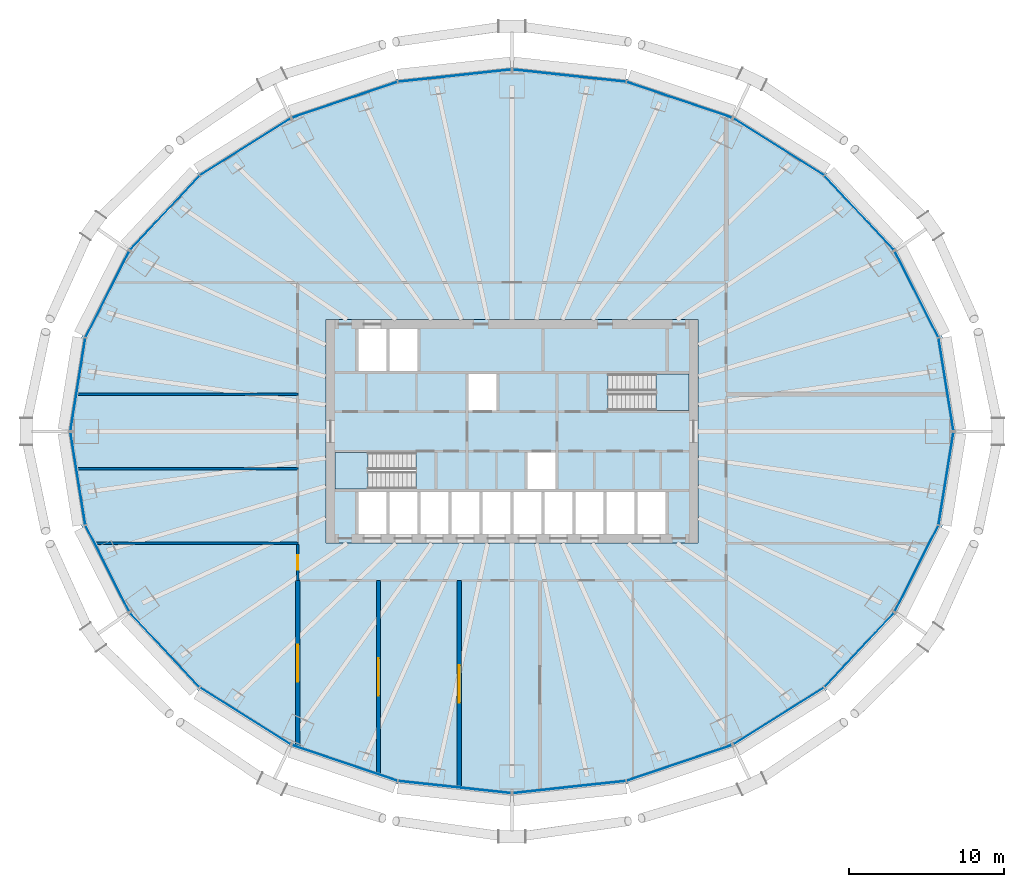
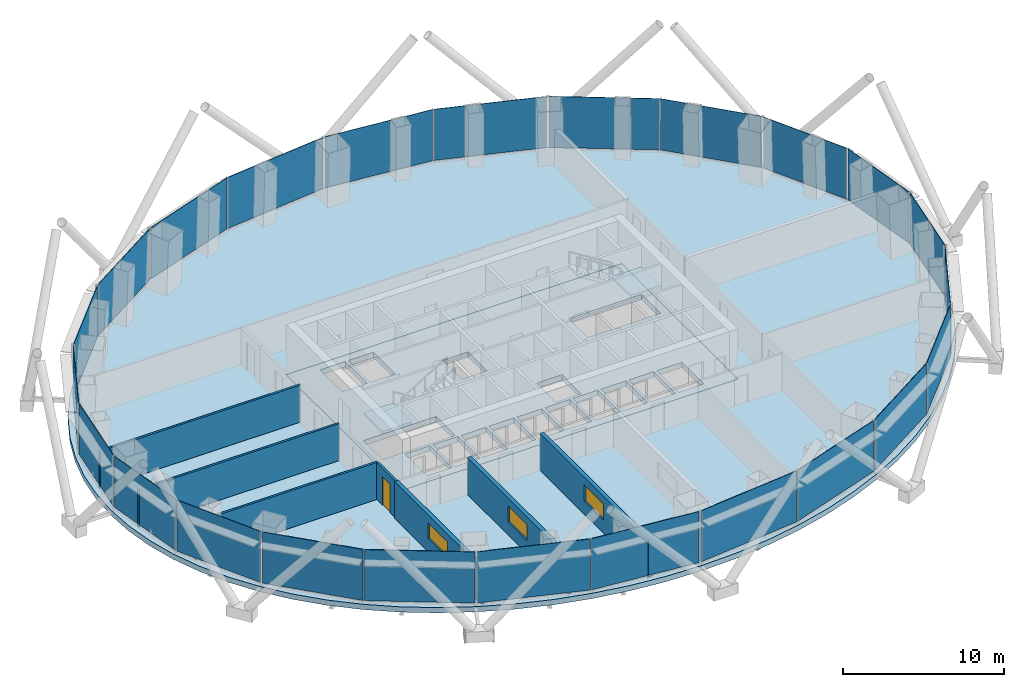
# One storey, part 6 of 16: 24 plates, 7 walls, 4 slabs, 3 windows, 1 door, 4 openings, 14 elements without a shape of their own.
"""IFC4 building model written with IfcOpenShell, lengths in metres."""

from ifc_helpers import new_model, si_unit, direction, frame, frame_2d, origin, origin_2d, place, context, subcontext, project, spatial, polyline, rectangle, outline, extrude, material, layer, layer_set, type_object, element, fill, aggregate, save


model = new_model("IFC4")

# Units and contexts
model_context = context("Model", 3, precision=1e-05, world=origin(), true_north=direction((0.0, 1.0)))
body_context = subcontext(model_context, "Body", "Model", "MODEL_VIEW")
ifc_project = project(units=[si_unit("LENGTHUNIT", "METRE"), si_unit("AREAUNIT", "SQUARE_METRE"), si_unit("VOLUMEUNIT", "CUBIC_METRE"), si_unit("PLANEANGLEUNIT", "RADIAN"), si_unit("MASSUNIT", "GRAM", prefix="KILO")], contexts=[model_context])

# Site, building, storey
site_placement = place(None, origin())
site = spatial("IfcSite", under=ifc_project, at=site_placement, CompositionType="ELEMENT")
building_placement = place(site_placement, origin())
building = spatial("IfcBuilding", under=site, at=building_placement, Name="Siaravel Broadcast Tower", CompositionType="ELEMENT")
storey_placement = place(building_placement, frame((0.0, 0.0, 28.699951171875)))
storey = spatial("IfcBuildingStorey", under=building, at=storey_placement, Name="L05", CompositionType="ELEMENT", Elevation=28.699951171875)

# Curtain wall, plates
ifc_material_1 = material(Name="Aluminium 6063-T6", Category="aluminium")
ifc_layer_1 = layer(ifc_material_1, 0.25)
ifc_layer_set_1 = layer_set([ifc_layer_1], Name="Aluminium 6063-T6")
curtain_wall_type = type_object("IfcCurtainWallType", Name="Podium newsroom glazing", PredefinedType="NOTDEFINED", material=ifc_layer_set_1)
curtain_wall_1_placement = place(storey_placement, origin())
curtain_wall_1 = element("IfcCurtainWall", 1, at=curtain_wall_1_placement, inside=storey, type_object=curtain_wall_type, Name="L05 Podium newsroom glazing 01", PredefinedType="NOTDEFINED")
ifc_material_2 = material(Name="Clear laminated glass", Category="glass")
ifc_layer_2 = layer(ifc_material_2, 0.035888671875)
ifc_layer_set_2 = layer_set([ifc_layer_2], Name="Clear laminated glass")
plate_type = type_object("IfcPlateType", Name="CW-PD glass panel", PredefinedType="CURTAIN_PANEL", material=ifc_layer_set_2)
plate_1_placement = place(storey_placement, frame((27.96533203125, 3.038330078125, 0.14013671875), z_axis=(0.0, 0.0, 1.0), x_axis=(-0.158686178, 0.987329072, 0.0)))
plate_1 = element("IfcPlate", 2, at=plate_1_placement, type_object=plate_type, Name="CW-PD glass panel", PredefinedType="CURTAIN_PANEL", context=body_context, shape_type="SweptSolid", body=[
    extrude(rectangle(XDim=5.99462890625, YDim=0.035888671875, at=origin_2d()), origin(), (0.0, 0.0, 1.0), 3.860107421875),
])
plate_2_placement = place(storey_placement, frame((26.0703125, 8.83154296875, 0.14013671875), z_axis=(0.0, 0.0, 1.0), x_axis=(-0.451262258, 0.89239138, 0.0)))
plate_2 = element("IfcPlate", 3, at=plate_2_placement, type_object=plate_type, Name="CW-PD glass panel", PredefinedType="CURTAIN_PANEL", context=body_context, shape_type="SweptSolid", body=[
    extrude(rectangle(XDim=6.1826171875, YDim=0.035888671875, at=origin_2d()), origin(), (0.0, 0.0, 1.0), 3.860107421875),
])
aggregate(curtain_wall_1, [plate_1, plate_2])

curtain_wall_2_placement = place(storey_placement, origin())
curtain_wall_2 = element("IfcCurtainWall", 4, at=curtain_wall_2_placement, inside=storey, type_object=curtain_wall_type, Name="L05 Podium newsroom glazing 02", PredefinedType="NOTDEFINED")
plate_3_placement = place(storey_placement, frame((22.364013671875, 14.09033203125, 0.14013671875), z_axis=(0.0, 0.0, 1.0), x_axis=(-0.68365628, 0.729804146, 0.0)))
plate_3 = element("IfcPlate", 5, at=plate_3_placement, type_object=plate_type, Name="CW-PD glass panel", PredefinedType="CURTAIN_PANEL", context=body_context, shape_type="SweptSolid", body=[
    extrude(rectangle(XDim=6.49609375, YDim=0.035888671875, at=origin_2d()), origin(), (0.0, 0.0, 1.0), 3.860107421875),
])
plate_4_placement = place(storey_placement, frame((17.1865234375, 18.331298828125, 0.14013671875), z_axis=(0.0, 0.0, 1.0), x_axis=(-0.84665121, 0.532148221, 0.0)))
plate_4 = element("IfcPlate", 6, at=plate_4_placement, type_object=plate_type, Name="CW-PD glass panel", PredefinedType="CURTAIN_PANEL", context=body_context, shape_type="SweptSolid", body=[
    extrude(rectangle(XDim=6.840087890625, YDim=0.035888671875, at=origin_2d()), origin(), (0.0, 0.0, 1.0), 3.860107421875),
])
aggregate(curtain_wall_2, [plate_3, plate_4])

curtain_wall_3_placement = place(storey_placement, origin())
curtain_wall_3 = element("IfcCurtainWall", 7, at=curtain_wall_3_placement, inside=storey, type_object=curtain_wall_type, Name="L05 Podium newsroom glazing 03", PredefinedType="NOTDEFINED")
plate_5_placement = place(storey_placement, frame((10.773681640625, 21.3642578125, 0.14013671875), z_axis=(0.0, 0.0, 1.0), x_axis=(-0.946977469, 0.321299974, 0.0)))
plate_5 = element("IfcPlate", 8, at=plate_5_placement, type_object=plate_type, Name="CW-PD glass panel", PredefinedType="CURTAIN_PANEL", context=body_context, shape_type="SweptSolid", body=[
    extrude(rectangle(XDim=7.125244140625, YDim=0.035888671875, at=origin_2d()), origin(), (0.0, 0.0, 1.0), 3.860107421875),
])
plate_6_placement = place(storey_placement, frame((3.700927734375, 22.91650390625, 0.14013671875), z_axis=(0.0, 0.0, 1.0), x_axis=(-0.994235615, 0.107217269, 0.0)))
plate_6 = element("IfcPlate", 9, at=plate_6_placement, type_object=plate_type, Name="CW-PD glass panel", PredefinedType="CURTAIN_PANEL", context=body_context, shape_type="SweptSolid", body=[
    extrude(rectangle(XDim=7.284912109375, YDim=0.035888671875, at=origin_2d()), origin(), (0.0, 0.0, 1.0), 3.860107421875),
])
aggregate(curtain_wall_3, [plate_5, plate_6])

curtain_wall_4_placement = place(storey_placement, origin())
curtain_wall_4 = element("IfcCurtainWall", 10, at=curtain_wall_4_placement, inside=storey, type_object=curtain_wall_type, Name="L05 Podium newsroom glazing 04", PredefinedType="NOTDEFINED")
plate_7_placement = place(storey_placement, frame((-3.700927734375, 22.91650390625, 0.14013671875), z_axis=(0.0, 0.0, 1.0), x_axis=(-0.994235615, -0.107217269, 0.0)))
plate_7 = element("IfcPlate", 11, at=plate_7_placement, type_object=plate_type, Name="CW-PD glass panel", PredefinedType="CURTAIN_PANEL", context=body_context, shape_type="SweptSolid", body=[
    extrude(rectangle(XDim=7.284912109375, YDim=0.035888671875, at=origin_2d()), origin(), (0.0, 0.0, 1.0), 3.860107421875),
])
plate_8_placement = place(storey_placement, frame((-10.773681640625, 21.3642578125, 0.14013671875), z_axis=(0.0, 0.0, 1.0), x_axis=(-0.946977469, -0.321299974, 0.0)))
plate_8 = element("IfcPlate", 12, at=plate_8_placement, type_object=plate_type, Name="CW-PD glass panel", PredefinedType="CURTAIN_PANEL", context=body_context, shape_type="SweptSolid", body=[
    extrude(rectangle(XDim=7.125244140625, YDim=0.035888671875, at=origin_2d()), origin(), (0.0, 0.0, 1.0), 3.860107421875),
])
aggregate(curtain_wall_4, [plate_7, plate_8])

curtain_wall_5_placement = place(storey_placement, origin())
curtain_wall_5 = element("IfcCurtainWall", 13, at=curtain_wall_5_placement, inside=storey, type_object=curtain_wall_type, Name="L05 Podium newsroom glazing 05", PredefinedType="NOTDEFINED")
plate_9_placement = place(storey_placement, frame((-17.1865234375, 18.331298828125, 0.14013671875), z_axis=(0.0, 0.0, 1.0), x_axis=(-0.84665121, -0.532148221, 0.0)))
plate_9 = element("IfcPlate", 14, at=plate_9_placement, type_object=plate_type, Name="CW-PD glass panel", PredefinedType="CURTAIN_PANEL", context=body_context, shape_type="SweptSolid", body=[
    extrude(rectangle(XDim=6.840087890625, YDim=0.035888671875, at=origin_2d()), origin(), (0.0, 0.0, 1.0), 3.860107421875),
])
plate_10_placement = place(storey_placement, frame((-22.364013671875, 14.09033203125, 0.14013671875), z_axis=(0.0, 0.0, 1.0), x_axis=(-0.68365628, -0.729804146, 0.0)))
plate_10 = element("IfcPlate", 15, at=plate_10_placement, type_object=plate_type, Name="CW-PD glass panel", PredefinedType="CURTAIN_PANEL", context=body_context, shape_type="SweptSolid", body=[
    extrude(rectangle(XDim=6.49609375, YDim=0.035888671875, at=origin_2d()), origin(), (0.0, 0.0, 1.0), 3.860107421875),
])
aggregate(curtain_wall_5, [plate_9, plate_10])

curtain_wall_6_placement = place(storey_placement, origin())
curtain_wall_6 = element("IfcCurtainWall", 16, at=curtain_wall_6_placement, inside=storey, type_object=curtain_wall_type, Name="L05 Podium newsroom glazing 06", PredefinedType="NOTDEFINED")
plate_11_placement = place(storey_placement, frame((-26.0703125, 8.83154296875, 0.14013671875), z_axis=(0.0, 0.0, 1.0), x_axis=(-0.451262258, -0.89239138, 0.0)))
plate_11 = element("IfcPlate", 17, at=plate_11_placement, type_object=plate_type, Name="CW-PD glass panel", PredefinedType="CURTAIN_PANEL", context=body_context, shape_type="SweptSolid", body=[
    extrude(rectangle(XDim=6.1826171875, YDim=0.035888671875, at=origin_2d()), origin(), (0.0, 0.0, 1.0), 3.860107421875),
])
plate_12_placement = place(storey_placement, frame((-27.96533203125, 3.038330078125, 0.14013671875), z_axis=(0.0, 0.0, 1.0), x_axis=(-0.158686178, -0.987329072, 0.0)))
plate_12 = element("IfcPlate", 18, at=plate_12_placement, type_object=plate_type, Name="CW-PD glass panel", PredefinedType="CURTAIN_PANEL", context=body_context, shape_type="SweptSolid", body=[
    extrude(rectangle(XDim=5.99462890625, YDim=0.035888671875, at=origin_2d()), origin(), (0.0, 0.0, 1.0), 3.860107421875),
])
aggregate(curtain_wall_6, [plate_11, plate_12])

curtain_wall_7_placement = place(storey_placement, origin())
curtain_wall_7 = element("IfcCurtainWall", 19, at=curtain_wall_7_placement, inside=storey, type_object=curtain_wall_type, Name="L05 Podium newsroom glazing 07", PredefinedType="NOTDEFINED")
plate_13_placement = place(storey_placement, frame((-27.96533203125, -3.038330078125, 0.14013671875), z_axis=(0.0, 0.0, 1.0), x_axis=(0.158686178, -0.987329072, 0.0)))
plate_13 = element("IfcPlate", 20, at=plate_13_placement, type_object=plate_type, Name="CW-PD glass panel", PredefinedType="CURTAIN_PANEL", context=body_context, shape_type="SweptSolid", body=[
    extrude(rectangle(XDim=5.99462890625, YDim=0.035888671875, at=origin_2d()), origin(), (0.0, 0.0, 1.0), 3.860107421875),
])
plate_14_placement = place(storey_placement, frame((-26.0703125, -8.83154296875, 0.14013671875), z_axis=(0.0, 0.0, 1.0), x_axis=(0.451262258, -0.89239138, 0.0)))
plate_14 = element("IfcPlate", 21, at=plate_14_placement, type_object=plate_type, Name="CW-PD glass panel", PredefinedType="CURTAIN_PANEL", context=body_context, shape_type="SweptSolid", body=[
    extrude(rectangle(XDim=6.1826171875, YDim=0.035888671875, at=origin_2d()), origin(), (0.0, 0.0, 1.0), 3.860107421875),
])
aggregate(curtain_wall_7, [plate_13, plate_14])

curtain_wall_8_placement = place(storey_placement, origin())
curtain_wall_8 = element("IfcCurtainWall", 22, at=curtain_wall_8_placement, inside=storey, type_object=curtain_wall_type, Name="L05 Podium newsroom glazing 08", PredefinedType="NOTDEFINED")
plate_15_placement = place(storey_placement, frame((-22.364013671875, -14.09033203125, 0.14013671875), z_axis=(0.0, 0.0, 1.0), x_axis=(0.68365628, -0.729804146, 0.0)))
plate_15 = element("IfcPlate", 23, at=plate_15_placement, type_object=plate_type, Name="CW-PD glass panel", PredefinedType="CURTAIN_PANEL", context=body_context, shape_type="SweptSolid", body=[
    extrude(rectangle(XDim=6.49609375, YDim=0.035888671875, at=origin_2d()), origin(), (0.0, 0.0, 1.0), 3.860107421875),
])
plate_16_placement = place(storey_placement, frame((-17.1865234375, -18.331298828125, 0.14013671875), z_axis=(0.0, 0.0, 1.0), x_axis=(0.84665121, -0.532148221, 0.0)))
plate_16 = element("IfcPlate", 24, at=plate_16_placement, type_object=plate_type, Name="CW-PD glass panel", PredefinedType="CURTAIN_PANEL", context=body_context, shape_type="SweptSolid", body=[
    extrude(rectangle(XDim=6.840087890625, YDim=0.035888671875, at=origin_2d()), origin(), (0.0, 0.0, 1.0), 3.860107421875),
])
aggregate(curtain_wall_8, [plate_15, plate_16])

curtain_wall_9_placement = place(storey_placement, origin())
curtain_wall_9 = element("IfcCurtainWall", 25, at=curtain_wall_9_placement, inside=storey, type_object=curtain_wall_type, Name="L05 Podium newsroom glazing 09", PredefinedType="NOTDEFINED")
plate_17_placement = place(storey_placement, frame((-10.773681640625, -21.3642578125, 0.14013671875), z_axis=(0.0, 0.0, 1.0), x_axis=(0.946977469, -0.321299974, 0.0)))
plate_17 = element("IfcPlate", 26, at=plate_17_placement, type_object=plate_type, Name="CW-PD glass panel", PredefinedType="CURTAIN_PANEL", context=body_context, shape_type="SweptSolid", body=[
    extrude(rectangle(XDim=7.125244140625, YDim=0.035888671875, at=origin_2d()), origin(), (0.0, 0.0, 1.0), 3.860107421875),
])
plate_18_placement = place(storey_placement, frame((-3.700927734375, -22.91650390625, 0.14013671875), z_axis=(0.0, 0.0, 1.0), x_axis=(0.994235615, -0.107217269, 0.0)))
plate_18 = element("IfcPlate", 27, at=plate_18_placement, type_object=plate_type, Name="CW-PD glass panel", PredefinedType="CURTAIN_PANEL", context=body_context, shape_type="SweptSolid", body=[
    extrude(rectangle(XDim=7.284912109375, YDim=0.035888671875, at=origin_2d()), origin(), (0.0, 0.0, 1.0), 3.860107421875),
])
aggregate(curtain_wall_9, [plate_17, plate_18])

curtain_wall_10_placement = place(storey_placement, origin())
curtain_wall_10 = element("IfcCurtainWall", 28, at=curtain_wall_10_placement, inside=storey, type_object=curtain_wall_type, Name="L05 Podium newsroom glazing 10", PredefinedType="NOTDEFINED")
plate_19_placement = place(storey_placement, frame((3.700927734375, -22.91650390625, 0.14013671875), z_axis=(0.0, 0.0, 1.0), x_axis=(0.994235615, 0.107217269, 0.0)))
plate_19 = element("IfcPlate", 29, at=plate_19_placement, type_object=plate_type, Name="CW-PD glass panel", PredefinedType="CURTAIN_PANEL", context=body_context, shape_type="SweptSolid", body=[
    extrude(rectangle(XDim=7.284912109375, YDim=0.035888671875, at=origin_2d()), origin(), (0.0, 0.0, 1.0), 3.860107421875),
])
plate_20_placement = place(storey_placement, frame((10.773681640625, -21.3642578125, 0.14013671875), z_axis=(0.0, 0.0, 1.0), x_axis=(0.946977469, 0.321299974, 0.0)))
plate_20 = element("IfcPlate", 30, at=plate_20_placement, type_object=plate_type, Name="CW-PD glass panel", PredefinedType="CURTAIN_PANEL", context=body_context, shape_type="SweptSolid", body=[
    extrude(rectangle(XDim=7.125244140625, YDim=0.035888671875, at=origin_2d()), origin(), (0.0, 0.0, 1.0), 3.860107421875),
])
aggregate(curtain_wall_10, [plate_19, plate_20])

curtain_wall_11_placement = place(storey_placement, origin())
curtain_wall_11 = element("IfcCurtainWall", 31, at=curtain_wall_11_placement, inside=storey, type_object=curtain_wall_type, Name="L05 Podium newsroom glazing 11", PredefinedType="NOTDEFINED")
plate_21_placement = place(storey_placement, frame((17.1865234375, -18.331298828125, 0.14013671875), z_axis=(0.0, 0.0, 1.0), x_axis=(0.84665121, 0.532148221, 0.0)))
plate_21 = element("IfcPlate", 32, at=plate_21_placement, type_object=plate_type, Name="CW-PD glass panel", PredefinedType="CURTAIN_PANEL", context=body_context, shape_type="SweptSolid", body=[
    extrude(rectangle(XDim=6.840087890625, YDim=0.035888671875, at=origin_2d()), origin(), (0.0, 0.0, 1.0), 3.860107421875),
])
plate_22_placement = place(storey_placement, frame((22.364013671875, -14.09033203125, 0.14013671875), z_axis=(0.0, 0.0, 1.0), x_axis=(0.68365628, 0.729804146, 0.0)))
plate_22 = element("IfcPlate", 33, at=plate_22_placement, type_object=plate_type, Name="CW-PD glass panel", PredefinedType="CURTAIN_PANEL", context=body_context, shape_type="SweptSolid", body=[
    extrude(rectangle(XDim=6.49609375, YDim=0.035888671875, at=origin_2d()), origin(), (0.0, 0.0, 1.0), 3.860107421875),
])
aggregate(curtain_wall_11, [plate_21, plate_22])

curtain_wall_12_placement = place(storey_placement, origin())
curtain_wall_12 = element("IfcCurtainWall", 34, at=curtain_wall_12_placement, inside=storey, type_object=curtain_wall_type, Name="L05 Podium newsroom glazing 12", PredefinedType="NOTDEFINED")
plate_23_placement = place(storey_placement, frame((26.0703125, -8.83154296875, 0.14013671875), z_axis=(0.0, 0.0, 1.0), x_axis=(0.451262258, 0.89239138, 0.0)))
plate_23 = element("IfcPlate", 35, at=plate_23_placement, type_object=plate_type, Name="CW-PD glass panel", PredefinedType="CURTAIN_PANEL", context=body_context, shape_type="SweptSolid", body=[
    extrude(rectangle(XDim=6.1826171875, YDim=0.035888671875, at=origin_2d()), origin(), (0.0, 0.0, 1.0), 3.860107421875),
])
plate_24_placement = place(storey_placement, frame((27.96533203125, -3.038330078125, 0.14013671875), z_axis=(0.0, 0.0, 1.0), x_axis=(0.158686178, 0.987329072, 0.0)))
plate_24 = element("IfcPlate", 36, at=plate_24_placement, type_object=plate_type, Name="CW-PD glass panel", PredefinedType="CURTAIN_PANEL", context=body_context, shape_type="SweptSolid", body=[
    extrude(rectangle(XDim=5.99462890625, YDim=0.035888671875, at=origin_2d()), origin(), (0.0, 0.0, 1.0), 3.860107421875),
])
aggregate(curtain_wall_12, [plate_23, plate_24])

# Slabs
ifc_material_3 = material(Name="Concrete C40/50", Category="concrete")
ifc_layer_3 = layer(ifc_material_3, 0.39990234375)
ifc_layer_set_3 = layer_set([ifc_layer_3], Name="Concrete C40/50")
slab_type_1 = type_object("IfcSlabType", Name="Core floor slab 400", PredefinedType="FLOOR", material=ifc_layer_set_3)
slab_1_placement = place(storey_placement, frame((0.0, 0.0, -0.39990234375)))
element("IfcSlab", 37, at=slab_1_placement, inside=storey, type_object=slab_type_1, Name="L05 core floor", PredefinedType="FLOOR", context=body_context, shape_type="SweptSolid", body=[
    extrude(outline(polyline([(-12.0, -7.199951171875), (-12.0, 7.199951171875), (12.0, 7.199951171875), (12.0, -7.199951171875), (-12.0, -7.199951171875)]), holes=[polyline([(11.3994140625, 1.3505859375), (11.3994140625, 3.699462890625), (6.200439453125, 3.699462890625), (6.200439453125, 1.3505859375), (11.3994140625, 1.3505859375)]), polyline([(9.89990234375, -3.89990234375), (8.10009765625, -3.89990234375), (8.10009765625, -6.60009765625), (9.89990234375, -6.60009765625), (9.89990234375, -3.89990234375)]), polyline([(7.89990234375, -3.89990234375), (6.10009765625, -3.89990234375), (6.10009765625, -6.60009765625), (7.89990234375, -6.60009765625), (7.89990234375, -3.89990234375)]), polyline([(5.89990234375, -3.89990234375), (4.10009765625, -3.89990234375), (4.10009765625, -6.60009765625), (5.89990234375, -6.60009765625), (5.89990234375, -3.89990234375)]), polyline([(3.89990234375, -3.89990234375), (2.10009765625, -3.89990234375), (2.10009765625, -6.60009765625), (3.89990234375, -6.60009765625), (3.89990234375, -3.89990234375)]), polyline([(2.800048828125, -1.35009765625), (1.0, -1.35009765625), (1.0, -3.699951171875), (2.800048828125, -3.699951171875), (2.800048828125, -1.35009765625)]), polyline([(1.89990234375, -3.89990234375), (0.10009765625, -3.89990234375), (0.10009765625, -6.60009765625), (1.89990234375, -6.60009765625), (1.89990234375, -3.89990234375)]), polyline([(-0.10009765625, -3.89990234375), (-1.89990234375, -3.89990234375), (-1.89990234375, -6.60009765625), (-0.10009765625, -6.60009765625), (-0.10009765625, -3.89990234375)]), polyline([(-1.0, 3.699951171875), (-2.800048828125, 3.699951171875), (-2.800048828125, 1.35009765625), (-1.0, 1.35009765625), (-1.0, 3.699951171875)]), polyline([(-2.10009765625, -3.89990234375), (-3.89990234375, -3.89990234375), (-3.89990234375, -6.60009765625), (-2.10009765625, -6.60009765625), (-2.10009765625, -3.89990234375)]), polyline([(-4.10009765625, -3.89990234375), (-5.89990234375, -3.89990234375), (-5.89990234375, -6.60009765625), (-4.10009765625, -6.60009765625), (-4.10009765625, -3.89990234375)]), polyline([(-6.10009765625, -3.89990234375), (-7.89990234375, -3.89990234375), (-7.89990234375, -6.60009765625), (-6.10009765625, -6.60009765625), (-6.10009765625, -3.89990234375)]), polyline([(-6.10009765625, 6.60009765625), (-7.89990234375, 6.60009765625), (-7.89990234375, 3.89990234375), (-6.10009765625, 3.89990234375), (-6.10009765625, 6.60009765625)]), polyline([(-11.3994140625, -1.3505859375), (-11.3994140625, -3.699462890625), (-6.200439453125, -3.699462890625), (-6.200439453125, -1.3505859375), (-11.3994140625, -1.3505859375)]), polyline([(-8.10009765625, -3.89990234375), (-9.89990234375, -3.89990234375), (-9.89990234375, -6.60009765625), (-8.10009765625, -6.60009765625), (-8.10009765625, -3.89990234375)]), polyline([(-8.10009765625, 6.60009765625), (-9.89990234375, 6.60009765625), (-9.89990234375, 3.89990234375), (-8.10009765625, 3.89990234375), (-8.10009765625, 6.60009765625)])]), origin(), (0.0, 0.0, 1.0), 0.39990234375),
])
ifc_layer_4 = layer(ifc_material_3, 0.39990234375)
ifc_layer_set_4 = layer_set([ifc_layer_4], Name="Concrete C40/50")
slab_type_2 = type_object("IfcSlabType", Name="SLB-FLOOR-400", PredefinedType="FLOOR", material=ifc_layer_set_4)
slab_2_placement = place(storey_placement, frame((0.0, 0.0, -0.39990234375)))
element("IfcSlab", 38, at=slab_2_placement, inside=storey, type_object=slab_type_2, Name="Floor slab", PredefinedType="FLOOR", context=body_context, shape_type="SweptSolid", body=[
    extrude(outline(polyline([(28.699462890625, 0.0), (28.59033203125, 2.048828125), (28.263427734375, 4.08203125), (27.7216796875, 6.084228515625), (26.96875, 8.040283203125), (26.010498046875, 9.93505859375), (24.8544921875, 11.75390625), (23.50927734375, 13.483642578125), (21.985107421875, 15.110595703125), (20.293701171875, 16.622802734375), (18.44775390625, 18.00830078125), (16.46142578125, 19.256591796875), (14.349853515625, 20.358642578125), (12.12890625, 21.3056640625), (9.81591796875, 22.09033203125), (7.427978515625, 22.70703125), (4.983642578125, 23.15087890625), (2.501220703125, 23.418701171875), (0.0, 23.508056640625), (-2.501220703125, 23.418701171875), (-4.983642578125, 23.15087890625), (-7.427978515625, 22.70703125), (-9.81591796875, 22.09033203125), (-12.12890625, 21.3056640625), (-14.349609375, 20.358642578125), (-16.46142578125, 19.256591796875), (-18.44775390625, 18.00830078125), (-20.293701171875, 16.622802734375), (-21.985107421875, 15.110595703125), (-23.50927734375, 13.483642578125), (-24.8544921875, 11.75390625), (-26.010498046875, 9.93505859375), (-26.96875, 8.040283203125), (-27.7216796875, 6.084228515625), (-28.263427734375, 4.08203125), (-28.59033203125, 2.048828125), (-28.699462890625, 0.0), (-28.59033203125, -2.048828125), (-28.263427734375, -4.08203125), (-27.7216796875, -6.084228515625), (-26.96875, -8.040283203125), (-26.010498046875, -9.93505859375), (-24.8544921875, -11.754150390625), (-23.50927734375, -13.483642578125), (-21.985107421875, -15.110595703125), (-20.293701171875, -16.622802734375), (-18.44775390625, -18.00830078125), (-16.46142578125, -19.256591796875), (-14.349853515625, -20.358642578125), (-12.12890625, -21.3056640625), (-9.81591796875, -22.09033203125), (-7.427978515625, -22.70703125), (-4.983642578125, -23.15087890625), (-2.501220703125, -23.418701171875), (0.0, -23.508056640625), (2.501220703125, -23.418701171875), (4.983642578125, -23.15087890625), (7.427978515625, -22.70703125), (9.81591796875, -22.09033203125), (12.12890625, -21.3056640625), (14.349853515625, -20.358642578125), (16.46142578125, -19.256591796875), (18.44775390625, -18.00830078125), (20.293701171875, -16.622802734375), (21.985107421875, -15.110595703125), (23.50927734375, -13.483642578125), (24.8544921875, -11.754150390625), (26.010498046875, -9.93505859375), (26.96875, -8.040283203125), (27.7216796875, -6.084228515625), (28.263427734375, -4.08203125), (28.59033203125, -2.048828125), (28.699462890625, 0.0)]), holes=[polyline([(-12.0, 7.199951171875), (12.0, 7.199951171875), (12.0, -7.199951171875), (-12.0, -7.199951171875), (-12.0, 7.199951171875)])]), origin(), (0.0, 0.0, 1.0), 0.39990234375),
])

# Stair, slab
stair_type = type_object("IfcStairType", Name="Core exit stair", PredefinedType="HALF_TURN_STAIR", material=ifc_material_3)
stair_1_placement = place(storey_placement, origin())
stair_1 = element("IfcStair", 39, at=stair_1_placement, inside=storey, type_object=stair_type, Name="L05 Exit stair ST-1", PredefinedType="HALF_TURN_STAIR")
ifc_layer_5 = layer(ifc_material_3, 0.199951171875)
ifc_layer_set_5 = layer_set([ifc_layer_5], Name="Concrete C40/50")
slab_type_3 = type_object("IfcSlabType", Name="Stair landing", PredefinedType="LANDING", material=ifc_layer_set_5)
slab_3_placement = place(storey_placement, frame((0.0, 0.0, 1.900146484375)))
slab_3 = element("IfcSlab", 40, at=slab_3_placement, type_object=slab_type_3, Name="ST-1 landing 1", PredefinedType="LANDING", context=body_context, shape_type="SweptSolid", body=[
    extrude(outline(polyline([(-9.280029296875, -1.35009765625), (-11.39990234375, -1.35009765625), (-11.39990234375, -3.699951171875), (-9.280029296875, -3.699951171875), (-9.280029296875, -1.35009765625)])), origin(), (0.0, 0.0, 1.0), 0.199951171875),
])
aggregate(stair_1, [slab_3])

stair_2_placement = place(storey_placement, origin())
stair_2 = element("IfcStair", 41, at=stair_2_placement, inside=storey, type_object=stair_type, Name="L05 Exit stair ST-2", PredefinedType="HALF_TURN_STAIR")
slab_4_placement = place(storey_placement, frame((0.0, 0.0, 1.900146484375)))
slab_4 = element("IfcSlab", 42, at=slab_4_placement, type_object=slab_type_3, Name="ST-2 landing 1", PredefinedType="LANDING", context=body_context, shape_type="SweptSolid", body=[
    extrude(outline(polyline([(9.280029296875, 1.35009765625), (11.39990234375, 1.35009765625), (11.39990234375, 3.699951171875), (9.280029296875, 3.699951171875), (9.280029296875, 1.35009765625)])), origin(), (0.0, 0.0, 1.0), 0.199951171875),
])
aggregate(stair_2, [slab_4])

# Wall, opening, window
ifc_material_4 = material(Name="Double-leaf acoustic partition", Category="gypsum")
ifc_layer_6 = layer(ifc_material_4, 0.280029296875)
ifc_layer_set_6 = layer_set([ifc_layer_6], Name="Double-leaf acoustic partition")
wall_type_1 = type_object("IfcWallType", Name="Acoustic double-leaf wall 280", PredefinedType="PARTITIONING", material=ifc_layer_set_6)
wall_1_placement = place(storey_placement, frame((-3.39990234375, -22.956787109375, 0.0), z_axis=(0.0, 0.0, 1.0), x_axis=(0.0, 1.0, 0.0)))
wall_1 = element("IfcWall", 43, at=wall_1_placement, inside=storey, type_object=wall_type_1, Name="L05 partition 6", PredefinedType="PARTITIONING", context=body_context, shape_type="SweptSolid", body=[
    extrude(rectangle(XDim=13.356689453125, YDim=0.280029296875, at=frame_2d((6.67822265625, 0.0))), origin(), (0.0, 0.0, 1.0), 2.800048828125),
])
opening_1_placement = place(wall_1_placement, frame((5.478515625, 0.0, 1.0)))
opening_1 = element("IfcOpeningElement", 44, at=opening_1_placement, cuts=wall_1, Name="Opening L05-W02", PredefinedType="OPENING", context=body_context, shape_type="SweptSolid", body=[
    extrude(rectangle(XDim=2.39990234375, YDim=1.199951171875, at=frame_2d((1.199951171875, 0.60009765625))), frame((0.0, 0.14990234375, 0.0), z_axis=(0.0, -1.0, 0.0), x_axis=(1.0, 0.0, 0.0)), (0.0, 0.0, 1.0), 0.300048828125),
])
ifc_material_5 = material(Name="Laminated acoustic glass", Category="glass")
window_type = type_object("IfcWindowType", Name="Control room window 2400", PartitioningType="DOUBLE_PANEL_VERTICAL", PredefinedType="WINDOW", material=ifc_material_5)
window_1_placement = place(opening_1_placement, origin())
window_1 = element("IfcWindow", 45, at=window_1_placement, inside=storey, type_object=window_type, Name="L05 observation window 2", OverallHeight=1.199951171875, OverallWidth=2.39990234375, PartitioningType="SINGLE_PANEL", PredefinedType="WINDOW", context=body_context, shape_type="SweptSolid", body=[
    extrude(rectangle(XDim=2.39990234375, YDim=1.199951171875, at=frame_2d((1.199951171875, 0.60009765625))), frame((0.0, 0.030029296875, 0.0), z_axis=(0.0, -1.0, 0.0), x_axis=(1.0, 0.0, 0.0)), (0.0, 0.0, 1.0), 0.06005859375),
])
fill(opening_1, window_1)

wall_2_placement = place(storey_placement, frame((-8.60009765625, -22.0517578125, 0.0), z_axis=(0.0, 0.0, 1.0), x_axis=(0.0, 1.0, 0.0)))
wall_2 = element("IfcWall", 46, at=wall_2_placement, inside=storey, type_object=wall_type_1, Name="L05 partition 10", PredefinedType="PARTITIONING", context=body_context, shape_type="SweptSolid", body=[
    extrude(rectangle(XDim=12.45166015625, YDim=0.280029296875, at=frame_2d((6.225830078125, 0.0))), origin(), (0.0, 0.0, 1.0), 2.800048828125),
])
opening_2_placement = place(wall_2_placement, frame((5.02587890625, 0.0, 1.0)))
opening_2 = element("IfcOpeningElement", 47, at=opening_2_placement, cuts=wall_2, Name="Opening L05-W03", PredefinedType="OPENING", context=body_context, shape_type="SweptSolid", body=[
    extrude(rectangle(XDim=2.39990234375, YDim=1.199951171875, at=frame_2d((1.199951171875, 0.60009765625))), frame((0.0, 0.14990234375, 0.0), z_axis=(0.0, -1.0, 0.0), x_axis=(1.0, 0.0, 0.0)), (0.0, 0.0, 1.0), 0.300048828125),
])
window_2_placement = place(opening_2_placement, origin())
window_2 = element("IfcWindow", 48, at=window_2_placement, inside=storey, type_object=window_type, Name="L05 observation window 3", OverallHeight=1.199951171875, OverallWidth=2.39990234375, PartitioningType="SINGLE_PANEL", PredefinedType="WINDOW", context=body_context, shape_type="SweptSolid", body=[
    extrude(rectangle(XDim=2.39990234375, YDim=1.199951171875, at=frame_2d((1.199951171875, 0.60009765625))), frame((0.0, 0.030029296875, 0.0), z_axis=(0.0, -1.0, 0.0), x_axis=(1.0, 0.0, 0.0)), (0.0, 0.0, 1.0), 0.06005859375),
])
fill(opening_2, window_2)

wall_3_placement = place(storey_placement, frame((-13.800048828125, -20.28759765625, 0.0), z_axis=(0.0, 0.0, 1.0), x_axis=(0.0, 1.0, 0.0)))
wall_3 = element("IfcWall", 49, at=wall_3_placement, inside=storey, type_object=wall_type_1, Name="L05 partition 13", PredefinedType="PARTITIONING", context=body_context, shape_type="SweptSolid", body=[
    extrude(rectangle(XDim=10.6875, YDim=0.280029296875, at=frame_2d((5.34375, 0.0))), origin(), (0.0, 0.0, 1.0), 2.800048828125),
])
opening_3_placement = place(wall_3_placement, frame((4.143798828125, 0.0, 1.0)))
opening_3 = element("IfcOpeningElement", 50, at=opening_3_placement, cuts=wall_3, Name="Opening L05-W04", PredefinedType="OPENING", context=body_context, shape_type="SweptSolid", body=[
    extrude(rectangle(XDim=2.39990234375, YDim=1.199951171875, at=frame_2d((1.199951171875, 0.60009765625))), frame((0.0, 0.14990234375, 0.0), z_axis=(0.0, -1.0, 0.0), x_axis=(1.0, 0.0, 0.0)), (0.0, 0.0, 1.0), 0.300048828125),
])
window_3_placement = place(opening_3_placement, origin())
window_3 = element("IfcWindow", 51, at=window_3_placement, inside=storey, type_object=window_type, Name="L05 observation window 4", OverallHeight=1.199951171875, OverallWidth=2.39990234375, PartitioningType="SINGLE_PANEL", PredefinedType="WINDOW", context=body_context, shape_type="SweptSolid", body=[
    extrude(rectangle(XDim=2.39990234375, YDim=1.199951171875, at=frame_2d((1.199951171875, 0.60009765625))), frame((0.0, 0.030029296875, 0.0), z_axis=(0.0, -1.0, 0.0), x_axis=(1.0, 0.0, 0.0)), (0.0, 0.0, 1.0), 0.06005859375),
])
fill(opening_3, window_3)

# Wall, opening, door
ifc_material_6 = material(Name="Gypsum board partition", Category="gypsum")
ifc_layer_7 = layer(ifc_material_6, 0.14990234375)
ifc_layer_set_7 = layer_set([ifc_layer_7], Name="Gypsum board partition")
wall_type_2 = type_object("IfcWallType", Name="Corridor wall 150", PredefinedType="PARTITIONING", material=ifc_layer_set_7)
wall_4_placement = place(storey_placement, frame((-13.800048828125, -7.277099609375, 0.0), z_axis=(0.0, 0.0, 1.0), x_axis=(0.0, -1.0, 0.0)))
wall_4 = element("IfcWall", 52, at=wall_4_placement, inside=storey, type_object=wall_type_2, Name="L05 partition 26", PredefinedType="PARTITIONING", context=body_context, shape_type="SweptSolid", body=[
    extrude(rectangle(XDim=2.322021484375, YDim=0.14990234375, at=frame_2d((1.1611328125, 0.0))), origin(), (0.0, 0.0, 1.0), 2.800048828125),
])
opening_4_placement = place(wall_4_placement, frame((0.68603515625, 0.0, 0.0)))
opening_4 = element("IfcOpeningElement", 53, at=opening_4_placement, cuts=wall_4, Name="Opening L05-002", PredefinedType="OPENING", context=body_context, shape_type="SweptSolid", body=[
    extrude(rectangle(XDim=0.949951171875, YDim=2.14990234375, at=frame_2d((0.47509765625, 1.074951171875))), frame((0.0, 0.0849609375, 0.0), z_axis=(0.0, -1.0, 0.0), x_axis=(1.0, 0.0, 0.0)), (0.0, 0.0, 1.0), 0.169921875),
])
ifc_material_7 = material(Name="Timber veneer", Category="wood")
door_type = type_object("IfcDoorType", Name="Office door 950", OperationType="SINGLE_SWING_LEFT", PredefinedType="DOOR", material=ifc_material_7)
door_placement = place(opening_4_placement, origin())
door = element("IfcDoor", 54, at=door_placement, inside=storey, type_object=door_type, Name="L05 door to Production office", OperationType="SINGLE_SWING_RIGHT", OverallHeight=2.14990234375, OverallWidth=0.949951171875, PredefinedType="DOOR", context=body_context, shape_type="SweptSolid", body=[
    extrude(rectangle(XDim=0.949951171875, YDim=2.14990234375, at=frame_2d((0.47509765625, 1.074951171875))), frame((0.0, 0.02490234375, 0.0), z_axis=(0.0, -1.0, 0.0), x_axis=(1.0, 0.0, 0.0)), (0.0, 0.0, 1.0), 0.050048828125),
])
fill(opening_4, door)

# Walls
ifc_layer_8 = layer(ifc_material_6, 0.14990234375)
ifc_layer_set_8 = layer_set([ifc_layer_8], Name="Gypsum board partition")
wall_type_3 = type_object("IfcWallType", Name="Room partition 150", PredefinedType="PARTITIONING", material=ifc_layer_set_8)
wall_5_placement = place(storey_placement, frame((-13.800048828125, -2.39990234375, 0.0), z_axis=(0.0, 0.0, 1.0), x_axis=(-1.0, 0.0, 0.0)))
element("IfcWall", 55, at=wall_5_placement, inside=storey, type_object=wall_type_3, Name="L05 partition 2", PredefinedType="PARTITIONING", context=body_context, shape_type="SweptSolid", body=[
    extrude(rectangle(XDim=14.314208984375, YDim=0.14990234375, at=frame_2d((7.1572265625, 0.0))), origin(), (0.0, 0.0, 1.0), 2.800048828125),
])
wall_6_placement = place(storey_placement, frame((-13.801025390625, 2.40087890625, 0.0), z_axis=(0.0, 0.0, 1.0), x_axis=(-1.0, 0.0, 0.0)))
element("IfcWall", 56, at=wall_6_placement, inside=storey, type_object=wall_type_3, Name="L05 partition 4", PredefinedType="PARTITIONING", context=body_context, shape_type="SweptSolid", body=[
    extrude(rectangle(XDim=14.312255859375, YDim=0.14990234375, at=frame_2d((7.15625, 0.0))), origin(), (0.0, 0.0, 1.0), 2.800048828125),
])
wall_7_placement = place(storey_placement, frame((-13.800048828125, -7.199951171875, 0.0), z_axis=(0.0, 0.0, 1.0), x_axis=(-1.0, 0.0, 0.0)))
element("IfcWall", 57, at=wall_7_placement, inside=storey, type_object=wall_type_3, Name="L05 partition 7", PredefinedType="PARTITIONING", context=body_context, shape_type="SweptSolid", body=[
    extrude(rectangle(XDim=13.045166015625, YDim=0.14990234375, at=frame_2d((6.5224609375, 0.0))), origin(), (0.0, 0.0, 1.0), 2.800048828125),
])

save(model, "model.ifc")
